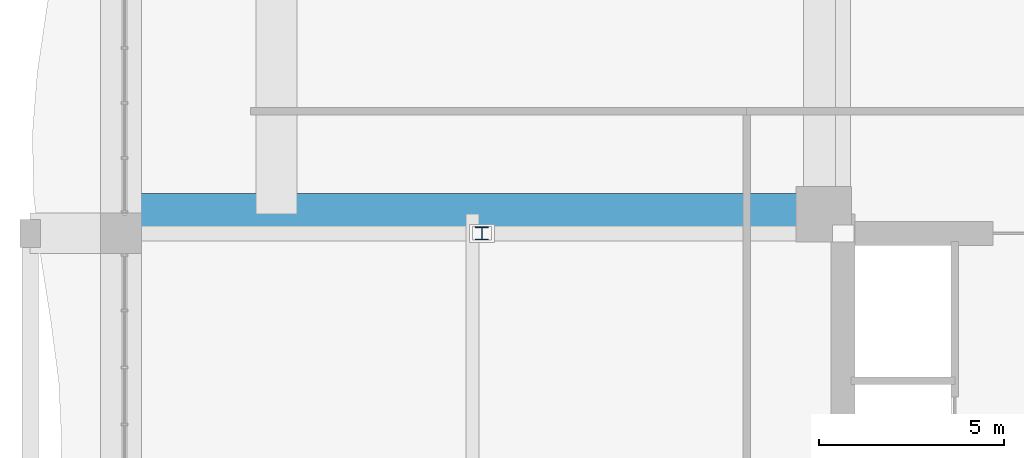
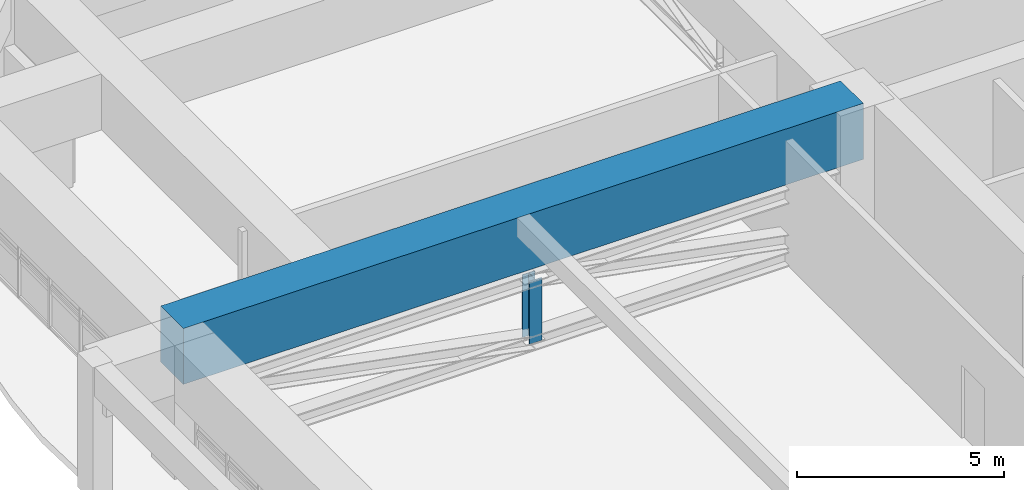
# One storey, part 20 of 35: 1 beam, 1 member.
"""IFC4 building model written with IfcOpenShell, lengths in metres."""

from ifc_helpers import new_model, si_unit, direction, frame, origin, origin_2d, place, context, subcontext, project, spatial, rectangle, i_section, extrude, source, transform, mapped, material, material_profile, profile_set, type_object, element, save


model = new_model("IFC4")

# Units and contexts
model_context = context("Model", 3, precision=1e-05, world=origin(), true_north=direction((0.0, 1.0)))
body_context = subcontext(model_context, "Body", "Model", "MODEL_VIEW")
ifc_project = project(units=[si_unit("LENGTHUNIT", "METRE"), si_unit("AREAUNIT", "SQUARE_METRE"), si_unit("VOLUMEUNIT", "CUBIC_METRE"), si_unit("PLANEANGLEUNIT", "RADIAN"), si_unit("MASSUNIT", "GRAM", prefix="KILO")], contexts=[model_context])

# Site, building, storey
site_placement = place(None, origin())
site = spatial("IfcSite", under=ifc_project, at=site_placement, CompositionType="ELEMENT")
building_placement = place(site_placement, origin())
building = spatial("IfcBuilding", under=site, at=building_placement, Name="Saelheon Loggia Tower", CompositionType="ELEMENT")
storey_placement = place(building_placement, frame((0.0, 0.0, 70.39990234375)))
storey = spatial("IfcBuildingStorey", under=building, at=storey_placement, Name="L22", CompositionType="ELEMENT", Elevation=70.39990234375)

# Beam
ifc_material_1 = material(Name="Concrete C50/60", Category="concrete")
ifc_material_profile_1 = material_profile(ifc_material_1, rectangle(XDim=1.10009765625, YDim=1.64990234375, at=origin_2d()), Name="RC-1100x1650")
ifc_profile_set_1 = profile_set([ifc_material_profile_1], Name="Concrete C50/60")
beam_type = type_object("IfcBeamType", Name="Beam_MegaTransfer_RC1100x1650", PredefinedType="BEAM", material=ifc_profile_set_1)
shared_shape_1 = source(origin(), body_context, "Body", "SweptSolid", [
    extrude(rectangle(XDim=1.10009765625, YDim=1.64990234375, at=origin_2d()), origin(), (0.0, 0.0, 1.0), 18.97998046875),
])
beam_placement = place(storey_placement, frame((30.97998046875, 36.52001953125, 3.125), z_axis=(-1.0, 0.0, 0.0), x_axis=(0.0, -1.0, 0.0)))
element("IfcBeam", 1, at=beam_placement, inside=storey, type_object=beam_type, Name="L22 Radial Floor Girder RAD-NW-W", PredefinedType="BEAM", context=body_context, shape_type="MappedRepresentation", body=[
    mapped(shared_shape_1, transform((0.0, 0.0, 0.0), scale=1.0)),
])

# Member
ifc_material_2 = material(Name="Steel SM355", Category="steel")
ifc_material_profile_2 = material_profile(ifc_material_2, i_section(OverallWidth=0.35009765625, OverallDepth=0.35009765625, WebThickness=0.011962890625, FlangeThickness=0.01904296875, at=origin_2d()), Name="H-350x350x12x19")
ifc_profile_set_2 = profile_set([ifc_material_profile_2], Name="Steel SM355")
member_type = type_object("IfcMemberType", Name="Outrigger_Post_H350", PredefinedType="POST", material=ifc_profile_set_2)
shared_shape_2 = source(origin(), body_context, "Body", "SweptSolid", [
    extrude(i_section(OverallWidth=0.35009765625, OverallDepth=0.35009765625, WebThickness=0.011962890625, FlangeThickness=0.01904296875, at=origin_2d()), origin(), (0.0, 0.0, 1.0), 1.849853515625),
])
member_placement = place(storey_placement, frame((21.75, 36.0, 0.22021484375), z_axis=(0.0, 0.0, 1.0), x_axis=(1.0, 0.0, 0.0)))
element("IfcMember", 2, at=member_placement, inside=storey, type_object=member_type, Name="L22 Outrigger Web Post NW-W", PredefinedType="POST", context=body_context, shape_type="MappedRepresentation", body=[
    mapped(shared_shape_2, transform((0.0, 0.0, 0.0), scale=1.0)),
])

save(model, "model.ifc")
